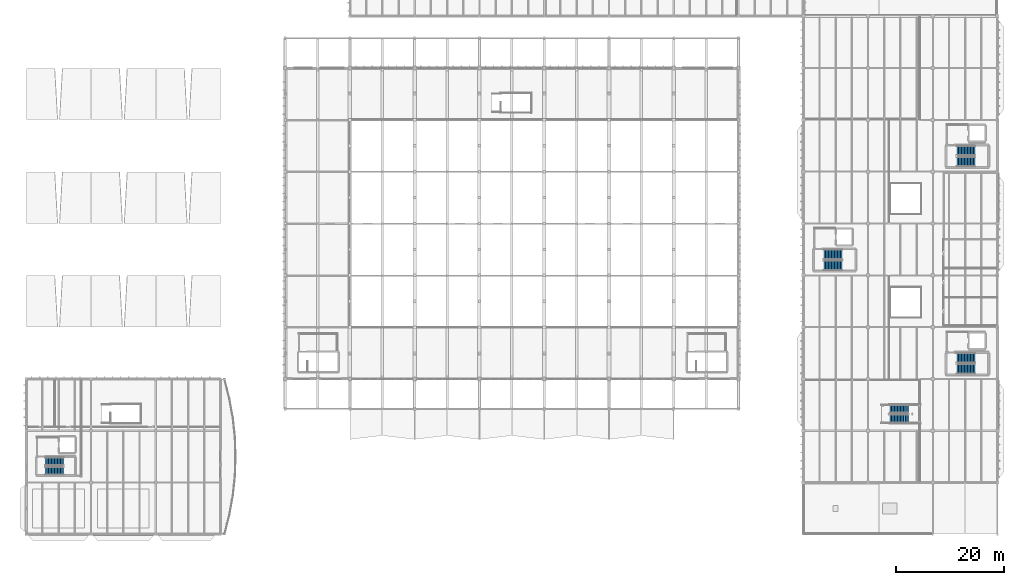
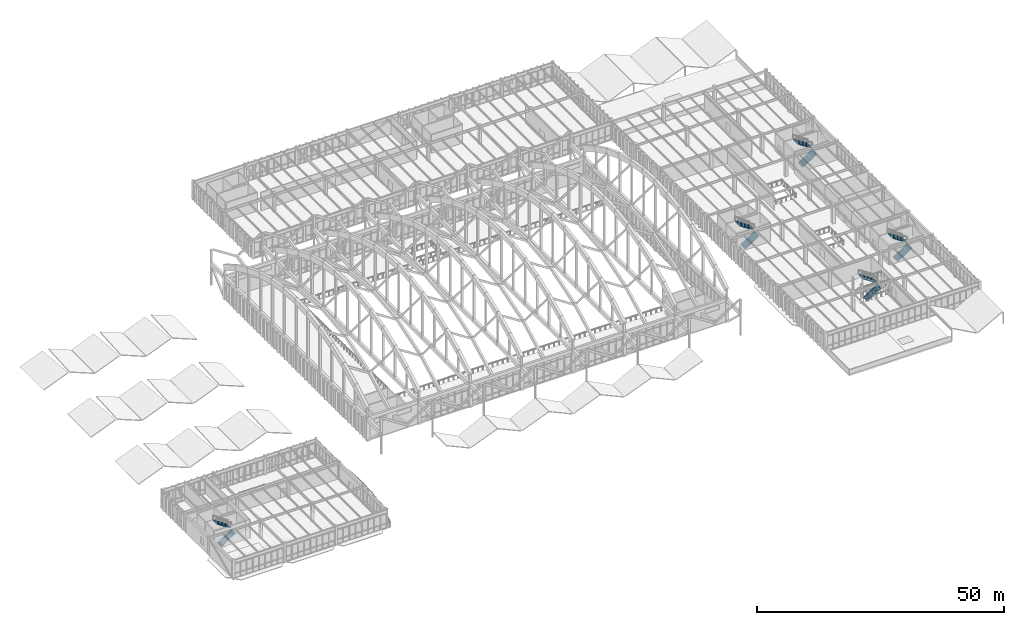
# One storey, part 224 of 236: 10 stair flights, 5 elements without a shape of their own.
"""IFC4 building model written with IfcOpenShell, lengths in metres."""

import ifcopenshell
import ifcopenshell.guid

model = None  # the IFC model being written
_history = None  # IfcOwnerHistory: only IFC2X3 demands one
_inside = {}  # id of a spatial element -> (the spatial element, [elements in it])
_under = {}  # id of a project, library or spatial element -> (it, [spatial elements below it])
_declared = {}  # id of a project -> (the project, [libraries it declares])
_typed = {}  # id of a type object -> (the type object, [elements of that type])
_made_of = {}  # id of a material, layer set ... -> (it, [elements and type objects made of it])


def new_model(schema):
    """Start an empty IFC model of exactly this schema.

    Asked for "IFC4X3", IfcOpenShell would pick the latest addendum, in which some entities
    have other attributes; the version numbers below select the first issue.
    IFC2X3 requires an IfcOwnerHistory on every rooted entity: one is made here for all.
    """
    global model, _history
    if schema == "IFC4X3":
        model = ifcopenshell.file(schema_version=(4, 3, 0, 0))
    else:
        model = ifcopenshell.file(schema=schema)
    _inside.clear()
    _under.clear()
    _declared.clear()
    _typed.clear()
    _made_of.clear()
    _history = None
    if model.schema == "IFC2X3":
        org = make("IfcOrganization", Name="unknown")
        user = make(
            "IfcPersonAndOrganization",
            ThePerson=make("IfcPerson", FamilyName="unknown"),
            TheOrganization=org,
        )
        app = make(
            "IfcApplication",
            ApplicationDeveloper=org,
            Version="unknown",
            ApplicationFullName="unknown",
            ApplicationIdentifier="unknown",
        )
        _history = make(
            "IfcOwnerHistory",
            OwningUser=user,
            OwningApplication=app,
            ChangeAction="ADDED",
            CreationDate=0,
        )
    return model


def make(cls, **values):
    """One entity of the class cls with the attributes given. An attribute that is None is left unset."""
    return model.create_entity(
        cls, **{name: value for name, value in values.items() if value is not None}
    )


def rooted(cls, **values):
    """An entity with a GlobalId (a new one), such as an element, a storey or a relation."""
    return make(cls, GlobalId=ifcopenshell.guid.new(), OwnerHistory=_history, **values)


def si_unit(unit_type, name, prefix=None):
    """IfcSIUnit, for example si_unit("LENGTHUNIT", "METRE", prefix="MILLI")."""
    return make("IfcSIUnit", UnitType=unit_type, Prefix=prefix, Name=name)


def assignment(units):
    """IfcUnitAssignment: the units of a project."""
    return None if units is None else make("IfcUnitAssignment", Units=units)


def point(xyz):
    """IfcCartesianPoint."""
    return None if xyz is None else make("IfcCartesianPoint", Coordinates=xyz)


def direction(xyz):
    """IfcDirection."""
    return None if xyz is None else make("IfcDirection", DirectionRatios=xyz)


def frame(location, z_axis=None, x_axis=None):
    """IfcAxis2Placement3D, a coordinate frame: its origin and axes. An axis left out is left unset."""
    return make(
        "IfcAxis2Placement3D",
        Location=point(location),
        Axis=direction(z_axis),
        RefDirection=direction(x_axis),
    )


def origin():
    """The frame at (0, 0, 0) with its axes left unset."""
    return frame((0.0, 0.0, 0.0))


def place(relative_to, where):
    """IfcLocalPlacement: puts the frame where relative to a parent placement (None: the world)."""
    return make(
        "IfcLocalPlacement", PlacementRelTo=relative_to, RelativePlacement=where
    )


def context(
    kind, dimensions, precision=None, world=None, true_north=None, identifier=None
):
    """IfcGeometricRepresentationContext, for example the 3D "Model" context."""
    return make(
        "IfcGeometricRepresentationContext",
        ContextIdentifier=identifier,
        ContextType=kind,
        CoordinateSpaceDimension=dimensions,
        Precision=precision,
        WorldCoordinateSystem=world,
        TrueNorth=true_north,
    )


def subcontext(parent, identifier, kind, view, scale=None):
    """IfcGeometricRepresentationSubContext, for example "Body" below "Model"."""
    return make(
        "IfcGeometricRepresentationSubContext",
        ContextIdentifier=identifier,
        ContextType=kind,
        ParentContext=parent,
        TargetScale=scale,
        TargetView=view,
    )


def project(units=None, contexts=None):
    """IfcProject with its units and contexts."""
    return rooted(
        "IfcProject",
        Name="project",
        RepresentationContexts=contexts,
        UnitsInContext=assignment(units),
    )


def spatial(cls, under=None, at=None, **own):
    """A site, building, storey or space (cls), placed at a placement, below another one or the project."""
    s = rooted(cls, ObjectPlacement=at, **own)
    if under is not None:
        _under.setdefault(under.id(), (under, []))[1].append(s)
    return s


def polyline(points):
    """IfcPolyline through the points."""
    return make("IfcPolyline", Points=[point(p) for p in points])


def outline(outer, holes=None, kind="AREA"):
    """IfcArbitraryClosedProfileDef: a profile drawn as a closed curve; with holes, ...WithVoids."""
    if holes is None:
        return make("IfcArbitraryClosedProfileDef", ProfileType=kind, OuterCurve=outer)
    return make(
        "IfcArbitraryProfileDefWithVoids",
        ProfileType=kind,
        OuterCurve=outer,
        InnerCurves=holes,
    )


def extrude(swept, where, along, depth):
    """IfcExtrudedAreaSolid: the profile swept, set in the frame where, extruded along a direction by depth."""
    return make(
        "IfcExtrudedAreaSolid",
        SweptArea=swept,
        Position=where,
        ExtrudedDirection=direction(along),
        Depth=depth,
    )


def shape(context_of_items, identifier, shape_type, items):
    """IfcShapeRepresentation: the items that make up one representation, for example the "Body"."""
    return make(
        "IfcShapeRepresentation",
        ContextOfItems=context_of_items,
        RepresentationIdentifier=identifier,
        RepresentationType=shape_type,
        Items=items,
    )


def material(Name=None, Category=None):
    """IfcMaterial."""
    return make("IfcMaterial", Name=Name, Category=Category)


def made_of(thing, what):
    """Note that an element or type object is made of a material, layer set ...; save() writes the relation."""
    if what is not None:
        _made_of.setdefault(what.id(), (what, []))[1].append(thing)
    return thing


def type_object(cls, material=None, **own):
    """A type object (cls), such as IfcWallType, which elements share."""
    return made_of(rooted(cls, **own), material)


def element(
    cls,
    number,
    at=None,
    inside=None,
    cuts=None,
    type_object=None,
    material=None,
    context=None,
    identifier="Body",
    shape_type=None,
    held_by="IfcProductDefinitionShape",
    body=None,
    shapes=None,
    **own,
):
    """One element of the class cls, such as IfcWall. Its Tag is "e" and its number.

    at: its placement. inside: the storey or other place that contains it. cuts: it is an
    opening in that element (IfcRelVoidsElement). A single representation is given by context,
    identifier, shape_type and body (its items); several are given by shapes. held_by: the class
    of the entity that holds the representations. save() writes the other relations.
    """
    e = rooted(cls, Tag="e%d" % number, ObjectPlacement=at, **own)
    if body is not None:
        shapes = [shape(context, identifier, shape_type, body)]
    if shapes is not None:
        e.Representation = make(held_by, Representations=shapes)
    if inside is not None:
        _inside.setdefault(inside.id(), (inside, []))[1].append(e)
    if cuts is not None:
        rooted(
            "IfcRelVoidsElement", RelatingBuildingElement=cuts, RelatedOpeningElement=e
        )
    if type_object is not None:
        _typed.setdefault(type_object.id(), (type_object, []))[1].append(e)
    return made_of(e, material)


def aggregate(whole, parts):
    """IfcRelAggregates: a whole, such as a stair, and the parts it consists of."""
    return rooted("IfcRelAggregates", RelatingObject=whole, RelatedObjects=parts)


def save(model, path):
    """Write the relations noted so far, then the file.

    IfcRelAggregates (storeys below a building ...), IfcRelContainedInSpatialStructure (elements
    in a storey), IfcRelDefinesByType, IfcRelAssociatesMaterial and IfcRelDeclares: one each for
    every whole, place, type object, material and project.
    """
    for whole, parts in _under.values():
        aggregate(whole, parts)
    for where, things in _inside.values():
        rooted(
            "IfcRelContainedInSpatialStructure",
            RelatedElements=things,
            RelatingStructure=where,
        )
    for kind, things in _typed.values():
        rooted("IfcRelDefinesByType", RelatedObjects=things, RelatingType=kind)
    for what, things in _made_of.values():
        rooted("IfcRelAssociatesMaterial", RelatedObjects=things, RelatingMaterial=what)
    for by, libraries in _declared.values():
        rooted("IfcRelDeclares", RelatingContext=by, RelatedDefinitions=libraries)
    model.write(path)


model = new_model("IFC4")

# Units and contexts
model_context = context("Model", 3, precision=1e-05, world=origin(), true_north=direction((0.0, 1.0)))
body_context = subcontext(model_context, "Body", "Model", "MODEL_VIEW")
ifc_project = project(units=[si_unit("LENGTHUNIT", "METRE"), si_unit("AREAUNIT", "SQUARE_METRE"), si_unit("VOLUMEUNIT", "CUBIC_METRE"), si_unit("PLANEANGLEUNIT", "RADIAN"), si_unit("MASSUNIT", "GRAM", prefix="KILO")], contexts=[model_context])

# Site, building, storey
site_placement = place(None, origin())
site = spatial("IfcSite", under=ifc_project, at=site_placement, CompositionType="ELEMENT")
building_placement = place(site_placement, origin())
building = spatial("IfcBuilding", under=site, at=building_placement, Name="Pandanus Reach Market Hall", CompositionType="ELEMENT")
storey_placement = place(building_placement, frame((0.0, 0.0, 5.39990234375)))
storey = spatial("IfcBuildingStorey", under=building, at=storey_placement, Name="L01", CompositionType="ELEMENT", Elevation=5.39990234375)

# Stair, stair flights
ifc_material = material(Name="Concrete N40 (40 MPa)", Category="concrete")
stair_type_1 = type_object("IfcStairType", Name="STR-03", PredefinedType="HALF_TURN_STAIR", material=ifc_material)
stair_1_placement = place(storey_placement, origin())
stair_1 = element("IfcStair", 1, at=stair_1_placement, inside=storey, type_object=stair_type_1, Name="Stair ST-01 L01", PredefinedType="HALF_TURN_STAIR")
stair_flight_type_1 = type_object("IfcStairFlightType", Name="STF-03", PredefinedType="STRAIGHT", material=ifc_material)
stair_flight_1_placement = place(storey_placement, frame((172.449951171875, 30.625, 0.0), z_axis=(0.0, 0.0, 1.0), x_axis=(1.0, 0.0, 0.0)))
stair_flight_1 = element("IfcStairFlight", 2, at=stair_flight_1_placement, type_object=stair_flight_type_1, Name="STR-03 flight 1", NumberOfRisers=13, NumberOfTreads=12, PredefinedType="STRAIGHT", RiserHeight=0.184615385, TreadLength=0.28, context=body_context, shape_type="SweptSolid", body=[
    extrude(outline(polyline([(0.0, 0.0), (0.0, 0.1845703125), (0.280029296875, 0.1845703125), (0.280029296875, 0.369140625), (0.56005859375, 0.369140625), (0.56005859375, 0.553955078125), (0.840087890625, 0.553955078125), (0.840087890625, 0.738525390625), (1.1201171875, 0.738525390625), (1.1201171875, 0.923095703125), (1.39990234375, 0.923095703125), (1.39990234375, 1.107666015625), (1.679931640625, 1.107666015625), (1.679931640625, 1.292236328125), (1.9599609375, 1.292236328125), (1.9599609375, 1.476806640625), (2.239990234375, 1.476806640625), (2.239990234375, 1.66162109375), (2.52001953125, 1.66162109375), (2.52001953125, 1.84619140625), (2.800048828125, 1.84619140625), (2.800048828125, 2.03076171875), (3.080078125, 2.03076171875), (3.080078125, 2.21533203125), (3.360107421875, 2.21533203125), (3.360107421875, 2.39990234375), (3.360107421875, 2.035888671875), (0.272216796875, 0.0), (0.0, 0.0)])), frame((0.0, 0.925048828125, 0.0), z_axis=(0.0, -1.0, 0.0), x_axis=(1.0, 0.0, 0.0)), (0.0, 0.0, 1.0), 1.85009765625),
])
stair_flight_2_placement = place(storey_placement, frame((175.81005859375, 32.675048828125, 2.400146484375), z_axis=(0.0, 0.0, 1.0), x_axis=(-1.0, 0.0, 0.0)))
stair_flight_2 = element("IfcStairFlight", 3, at=stair_flight_2_placement, type_object=stair_flight_type_1, Name="STR-03 flight 2", NumberOfRisers=13, NumberOfTreads=12, PredefinedType="STRAIGHT", RiserHeight=0.184615385, TreadLength=0.28, context=body_context, shape_type="SweptSolid", body=[
    extrude(outline(polyline([(0.0, 0.0), (0.0, 0.1845703125), (0.280029296875, 0.1845703125), (0.280029296875, 0.369140625), (0.56005859375, 0.369140625), (0.56005859375, 0.553955078125), (0.840087890625, 0.553955078125), (0.840087890625, 0.738525390625), (1.1201171875, 0.738525390625), (1.1201171875, 0.923095703125), (1.39990234375, 0.923095703125), (1.39990234375, 1.107666015625), (1.679931640625, 1.107666015625), (1.679931640625, 1.292236328125), (1.9599609375, 1.292236328125), (1.9599609375, 1.476806640625), (2.239990234375, 1.476806640625), (2.239990234375, 1.66162109375), (2.52001953125, 1.66162109375), (2.52001953125, 1.84619140625), (2.800048828125, 1.84619140625), (2.800048828125, 2.03076171875), (3.080078125, 2.03076171875), (3.080078125, 2.21533203125), (3.360107421875, 2.21533203125), (3.360107421875, 2.39990234375), (3.360107421875, 2.035888671875), (0.272216796875, 0.0), (0.0, 0.0)])), frame((0.0, 0.925048828125, 0.0), z_axis=(0.0, -1.0, 0.0), x_axis=(1.0, 0.0, 0.0)), (0.0, 0.0, 1.0), 1.85009765625),
])
aggregate(stair_1, [stair_flight_1, stair_flight_2])

stair_2_placement = place(storey_placement, origin())
stair_2 = element("IfcStair", 4, at=stair_2_placement, inside=storey, type_object=stair_type_1, Name="Stair ST-02 L01", PredefinedType="HALF_TURN_STAIR")
stair_flight_3_placement = place(storey_placement, frame((172.449951171875, 69.02490234375, 0.0), z_axis=(0.0, 0.0, 1.0), x_axis=(1.0, 0.0, 0.0)))
stair_flight_3 = element("IfcStairFlight", 5, at=stair_flight_3_placement, type_object=stair_flight_type_1, Name="STR-03 flight 1", NumberOfRisers=13, NumberOfTreads=12, PredefinedType="STRAIGHT", RiserHeight=0.184615385, TreadLength=0.28, context=body_context, shape_type="SweptSolid", body=[
    extrude(outline(polyline([(0.0, 0.0), (0.0, 0.1845703125), (0.280029296875, 0.1845703125), (0.280029296875, 0.369140625), (0.56005859375, 0.369140625), (0.56005859375, 0.553955078125), (0.840087890625, 0.553955078125), (0.840087890625, 0.738525390625), (1.1201171875, 0.738525390625), (1.1201171875, 0.923095703125), (1.39990234375, 0.923095703125), (1.39990234375, 1.107666015625), (1.679931640625, 1.107666015625), (1.679931640625, 1.292236328125), (1.9599609375, 1.292236328125), (1.9599609375, 1.476806640625), (2.239990234375, 1.476806640625), (2.239990234375, 1.66162109375), (2.52001953125, 1.66162109375), (2.52001953125, 1.84619140625), (2.800048828125, 1.84619140625), (2.800048828125, 2.03076171875), (3.080078125, 2.03076171875), (3.080078125, 2.21533203125), (3.360107421875, 2.21533203125), (3.360107421875, 2.39990234375), (3.360107421875, 2.035888671875), (0.272216796875, 0.0), (0.0, 0.0)])), frame((0.0, 0.925048828125, 0.0), z_axis=(0.0, -1.0, 0.0), x_axis=(1.0, 0.0, 0.0)), (0.0, 0.0, 1.0), 1.85009765625),
])
stair_flight_4_placement = place(storey_placement, frame((175.81005859375, 71.074951171875, 2.400146484375), z_axis=(0.0, 0.0, 1.0), x_axis=(-1.0, 0.0, 0.0)))
stair_flight_4 = element("IfcStairFlight", 6, at=stair_flight_4_placement, type_object=stair_flight_type_1, Name="STR-03 flight 2", NumberOfRisers=13, NumberOfTreads=12, PredefinedType="STRAIGHT", RiserHeight=0.184615385, TreadLength=0.28, context=body_context, shape_type="SweptSolid", body=[
    extrude(outline(polyline([(0.0, 0.0), (0.0, 0.1845703125), (0.280029296875, 0.1845703125), (0.280029296875, 0.369140625), (0.56005859375, 0.369140625), (0.56005859375, 0.553955078125), (0.840087890625, 0.553955078125), (0.840087890625, 0.738525390625), (1.1201171875, 0.738525390625), (1.1201171875, 0.923095703125), (1.39990234375, 0.923095703125), (1.39990234375, 1.107666015625), (1.679931640625, 1.107666015625), (1.679931640625, 1.292236328125), (1.9599609375, 1.292236328125), (1.9599609375, 1.476806640625), (2.239990234375, 1.476806640625), (2.239990234375, 1.66162109375), (2.52001953125, 1.66162109375), (2.52001953125, 1.84619140625), (2.800048828125, 1.84619140625), (2.800048828125, 2.03076171875), (3.080078125, 2.03076171875), (3.080078125, 2.21533203125), (3.360107421875, 2.21533203125), (3.360107421875, 2.39990234375), (3.360107421875, 2.035888671875), (0.272216796875, 0.0), (0.0, 0.0)])), frame((0.0, 0.925048828125, 0.0), z_axis=(0.0, -1.0, 0.0), x_axis=(1.0, 0.0, 0.0)), (0.0, 0.0, 1.0), 1.85009765625),
])
aggregate(stair_2, [stair_flight_3, stair_flight_4])

stair_3_placement = place(storey_placement, origin())
stair_3 = element("IfcStair", 7, at=stair_3_placement, inside=storey, type_object=stair_type_1, Name="Stair ST-03 L01", PredefinedType="HALF_TURN_STAIR")
stair_flight_5_placement = place(storey_placement, frame((147.85009765625, 49.824951171875, 0.0), z_axis=(0.0, 0.0, 1.0), x_axis=(1.0, 0.0, 0.0)))
stair_flight_5 = element("IfcStairFlight", 8, at=stair_flight_5_placement, type_object=stair_flight_type_1, Name="STR-03 flight 1", NumberOfRisers=13, NumberOfTreads=12, PredefinedType="STRAIGHT", RiserHeight=0.184615385, TreadLength=0.28, context=body_context, shape_type="SweptSolid", body=[
    extrude(outline(polyline([(0.0, 0.0), (0.0, 0.1845703125), (0.280029296875, 0.1845703125), (0.280029296875, 0.369140625), (0.56005859375, 0.369140625), (0.56005859375, 0.553955078125), (0.840087890625, 0.553955078125), (0.840087890625, 0.738525390625), (1.1201171875, 0.738525390625), (1.1201171875, 0.923095703125), (1.39990234375, 0.923095703125), (1.39990234375, 1.107666015625), (1.679931640625, 1.107666015625), (1.679931640625, 1.292236328125), (1.9599609375, 1.292236328125), (1.9599609375, 1.476806640625), (2.239990234375, 1.476806640625), (2.239990234375, 1.66162109375), (2.52001953125, 1.66162109375), (2.52001953125, 1.84619140625), (2.800048828125, 1.84619140625), (2.800048828125, 2.03076171875), (3.080078125, 2.03076171875), (3.080078125, 2.21533203125), (3.360107421875, 2.21533203125), (3.360107421875, 2.39990234375), (3.360107421875, 2.035888671875), (0.272216796875, 0.0), (0.0, 0.0)])), frame((0.0, 0.925048828125, 0.0), z_axis=(0.0, -1.0, 0.0), x_axis=(1.0, 0.0, 0.0)), (0.0, 0.0, 1.0), 1.85009765625),
])
stair_flight_6_placement = place(storey_placement, frame((151.2099609375, 51.875, 2.400146484375), z_axis=(0.0, 0.0, 1.0), x_axis=(-1.0, 0.0, 0.0)))
stair_flight_6 = element("IfcStairFlight", 9, at=stair_flight_6_placement, type_object=stair_flight_type_1, Name="STR-03 flight 2", NumberOfRisers=13, NumberOfTreads=12, PredefinedType="STRAIGHT", RiserHeight=0.184615385, TreadLength=0.28, context=body_context, shape_type="SweptSolid", body=[
    extrude(outline(polyline([(0.0, 0.0), (0.0, 0.1845703125), (0.280029296875, 0.1845703125), (0.280029296875, 0.369140625), (0.56005859375, 0.369140625), (0.56005859375, 0.553955078125), (0.840087890625, 0.553955078125), (0.840087890625, 0.738525390625), (1.1201171875, 0.738525390625), (1.1201171875, 0.923095703125), (1.39990234375, 0.923095703125), (1.39990234375, 1.107666015625), (1.679931640625, 1.107666015625), (1.679931640625, 1.292236328125), (1.9599609375, 1.292236328125), (1.9599609375, 1.476806640625), (2.239990234375, 1.476806640625), (2.239990234375, 1.66162109375), (2.52001953125, 1.66162109375), (2.52001953125, 1.84619140625), (2.800048828125, 1.84619140625), (2.800048828125, 2.03076171875), (3.080078125, 2.03076171875), (3.080078125, 2.21533203125), (3.360107421875, 2.21533203125), (3.360107421875, 2.39990234375), (3.360107421875, 2.035888671875), (0.272216796875, 0.0), (0.0, 0.0)])), frame((0.0, 0.925048828125, 0.0), z_axis=(0.0, -1.0, 0.0), x_axis=(1.0, 0.0, 0.0)), (0.0, 0.0, 1.0), 1.85009765625),
])
aggregate(stair_3, [stair_flight_5, stair_flight_6])

stair_type_2 = type_object("IfcStairType", Name="STR-06", PredefinedType="HALF_TURN_STAIR", material=ifc_material)
stair_4_placement = place(storey_placement, origin())
stair_4 = element("IfcStair", 10, at=stair_4_placement, inside=storey, type_object=stair_type_2, Name="Stair ST-04 L01", PredefinedType="HALF_TURN_STAIR")
stair_flight_type_2 = type_object("IfcStairFlightType", Name="STF-06", PredefinedType="STRAIGHT", material=ifc_material)
stair_flight_7_placement = place(storey_placement, frame((3.550048828125, 11.77490234375, 0.0), z_axis=(0.0, 0.0, 1.0), x_axis=(1.0, 0.0, 0.0)))
stair_flight_7 = element("IfcStairFlight", 11, at=stair_flight_7_placement, type_object=stair_flight_type_2, Name="STR-06 flight 1", NumberOfRisers=13, NumberOfTreads=12, PredefinedType="STRAIGHT", RiserHeight=0.184615385, TreadLength=0.28, context=body_context, shape_type="SweptSolid", body=[
    extrude(outline(polyline([(0.0, 0.0), (0.0, 0.1845703125), (0.280029296875, 0.1845703125), (0.280029296875, 0.369140625), (0.56005859375, 0.369140625), (0.56005859375, 0.553955078125), (0.840087890625, 0.553955078125), (0.840087890625, 0.738525390625), (1.1201171875, 0.738525390625), (1.1201171875, 0.923095703125), (1.39990234375, 0.923095703125), (1.39990234375, 1.107666015625), (1.679931640625, 1.107666015625), (1.679931640625, 1.292236328125), (1.9599609375, 1.292236328125), (1.9599609375, 1.476806640625), (2.239990234375, 1.476806640625), (2.239990234375, 1.66162109375), (2.52001953125, 1.66162109375), (2.52001953125, 1.84619140625), (2.800048828125, 1.84619140625), (2.800048828125, 2.03076171875), (3.080078125, 2.03076171875), (3.080078125, 2.21533203125), (3.360107421875, 2.21533203125), (3.360107421875, 2.39990234375), (3.360107421875, 2.035888671875), (0.272216796875, 0.0), (0.0, 0.0)])), frame((0.0, 0.77490234375, 0.0), z_axis=(0.0, -1.0, 0.0), x_axis=(1.0, 0.0, 0.0)), (0.0, 0.0, 1.0), 1.550048828125),
])
stair_flight_8_placement = place(storey_placement, frame((6.909912109375, 13.52490234375, 2.400146484375), z_axis=(0.0, 0.0, 1.0), x_axis=(-1.0, 0.0, 0.0)))
stair_flight_8 = element("IfcStairFlight", 12, at=stair_flight_8_placement, type_object=stair_flight_type_2, Name="STR-06 flight 2", NumberOfRisers=13, NumberOfTreads=12, PredefinedType="STRAIGHT", RiserHeight=0.184615385, TreadLength=0.28, context=body_context, shape_type="SweptSolid", body=[
    extrude(outline(polyline([(0.0, 0.0), (0.0, 0.1845703125), (0.280029296875, 0.1845703125), (0.280029296875, 0.369140625), (0.56005859375, 0.369140625), (0.56005859375, 0.553955078125), (0.840087890625, 0.553955078125), (0.840087890625, 0.738525390625), (1.1201171875, 0.738525390625), (1.1201171875, 0.923095703125), (1.39990234375, 0.923095703125), (1.39990234375, 1.107666015625), (1.679931640625, 1.107666015625), (1.679931640625, 1.292236328125), (1.9599609375, 1.292236328125), (1.9599609375, 1.476806640625), (2.239990234375, 1.476806640625), (2.239990234375, 1.66162109375), (2.52001953125, 1.66162109375), (2.52001953125, 1.84619140625), (2.800048828125, 1.84619140625), (2.800048828125, 2.03076171875), (3.080078125, 2.03076171875), (3.080078125, 2.21533203125), (3.360107421875, 2.21533203125), (3.360107421875, 2.39990234375), (3.360107421875, 2.035888671875), (0.272216796875, 0.0), (0.0, 0.0)])), frame((0.0, 0.77490234375, 0.0), z_axis=(0.0, -1.0, 0.0), x_axis=(1.0, 0.0, 0.0)), (0.0, 0.0, 1.0), 1.550048828125),
])
aggregate(stair_4, [stair_flight_7, stair_flight_8])

stair_type_3 = type_object("IfcStairType", Name="STR-10", PredefinedType="HALF_TURN_STAIR", material=ifc_material)
stair_5_placement = place(storey_placement, origin())
stair_5 = element("IfcStair", 13, at=stair_5_placement, inside=storey, type_object=stair_type_3, Name="Stair ST-11 L01", PredefinedType="HALF_TURN_STAIR")
stair_flight_type_3 = type_object("IfcStairFlightType", Name="STF-10", PredefinedType="STRAIGHT", material=ifc_material)
stair_flight_9_placement = place(storey_placement, frame((160.10009765625, 21.39990234375, 0.0), z_axis=(0.0, 0.0, 1.0), x_axis=(1.0, 0.0, 0.0)))
stair_flight_9 = element("IfcStairFlight", 14, at=stair_flight_9_placement, type_object=stair_flight_type_3, Name="STR-10 flight 1", NumberOfRisers=13, NumberOfTreads=12, PredefinedType="STRAIGHT", RiserHeight=0.184615385, TreadLength=0.28, context=body_context, shape_type="SweptSolid", body=[
    extrude(outline(polyline([(0.0, 0.0), (0.0, 0.1845703125), (0.280029296875, 0.1845703125), (0.280029296875, 0.369140625), (0.56005859375, 0.369140625), (0.56005859375, 0.553955078125), (0.840087890625, 0.553955078125), (0.840087890625, 0.738525390625), (1.1201171875, 0.738525390625), (1.1201171875, 0.923095703125), (1.39990234375, 0.923095703125), (1.39990234375, 1.107666015625), (1.679931640625, 1.107666015625), (1.679931640625, 1.292236328125), (1.9599609375, 1.292236328125), (1.9599609375, 1.476806640625), (2.239990234375, 1.476806640625), (2.239990234375, 1.66162109375), (2.52001953125, 1.66162109375), (2.52001953125, 1.84619140625), (2.800048828125, 1.84619140625), (2.800048828125, 2.03076171875), (3.080078125, 2.03076171875), (3.080078125, 2.21533203125), (3.360107421875, 2.21533203125), (3.360107421875, 2.39990234375), (3.360107421875, 2.035888671875), (0.272216796875, 0.0), (0.0, 0.0)])), frame((0.0, 0.800048828125, 0.0), z_axis=(0.0, -1.0, 0.0), x_axis=(1.0, 0.0, 0.0)), (0.0, 0.0, 1.0), 1.60009765625),
])
stair_flight_10_placement = place(storey_placement, frame((163.4599609375, 23.219970703125, 2.400146484375), z_axis=(0.0, 0.0, 1.0), x_axis=(-1.0, 0.0, 0.0)))
stair_flight_10 = element("IfcStairFlight", 15, at=stair_flight_10_placement, type_object=stair_flight_type_3, Name="STR-10 flight 2", NumberOfRisers=13, NumberOfTreads=12, PredefinedType="STRAIGHT", RiserHeight=0.184615385, TreadLength=0.28, context=body_context, shape_type="SweptSolid", body=[
    extrude(outline(polyline([(0.0, 0.0), (0.0, 0.1845703125), (0.280029296875, 0.1845703125), (0.280029296875, 0.369140625), (0.56005859375, 0.369140625), (0.56005859375, 0.553955078125), (0.840087890625, 0.553955078125), (0.840087890625, 0.738525390625), (1.1201171875, 0.738525390625), (1.1201171875, 0.923095703125), (1.39990234375, 0.923095703125), (1.39990234375, 1.107666015625), (1.679931640625, 1.107666015625), (1.679931640625, 1.292236328125), (1.9599609375, 1.292236328125), (1.9599609375, 1.476806640625), (2.239990234375, 1.476806640625), (2.239990234375, 1.66162109375), (2.52001953125, 1.66162109375), (2.52001953125, 1.84619140625), (2.800048828125, 1.84619140625), (2.800048828125, 2.03076171875), (3.080078125, 2.03076171875), (3.080078125, 2.21533203125), (3.360107421875, 2.21533203125), (3.360107421875, 2.39990234375), (3.360107421875, 2.035888671875), (0.272216796875, 0.0), (0.0, 0.0)])), frame((0.0, 0.800048828125, 0.0), z_axis=(0.0, -1.0, 0.0), x_axis=(1.0, 0.0, 0.0)), (0.0, 0.0, 1.0), 1.60009765625),
])
aggregate(stair_5, [stair_flight_9, stair_flight_10])

save(model, "model.ifc")
